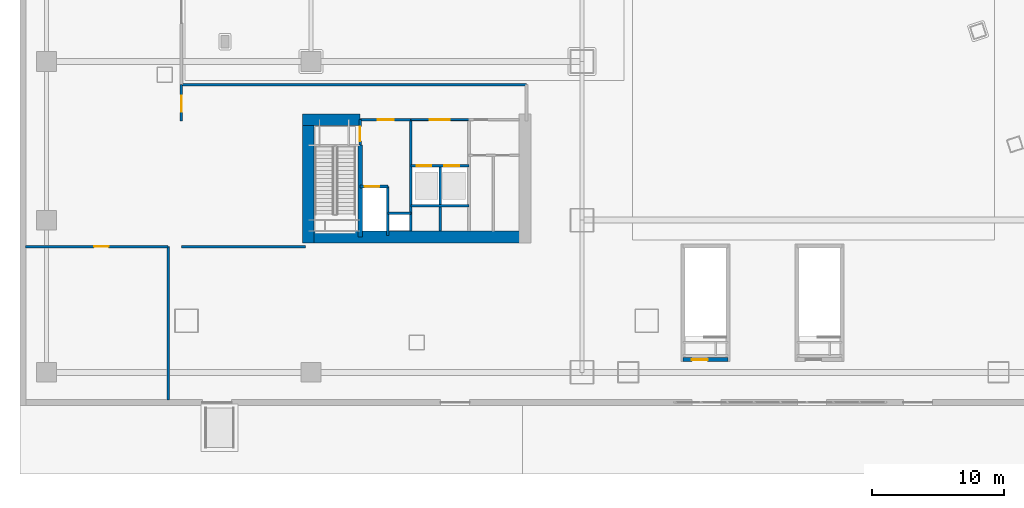
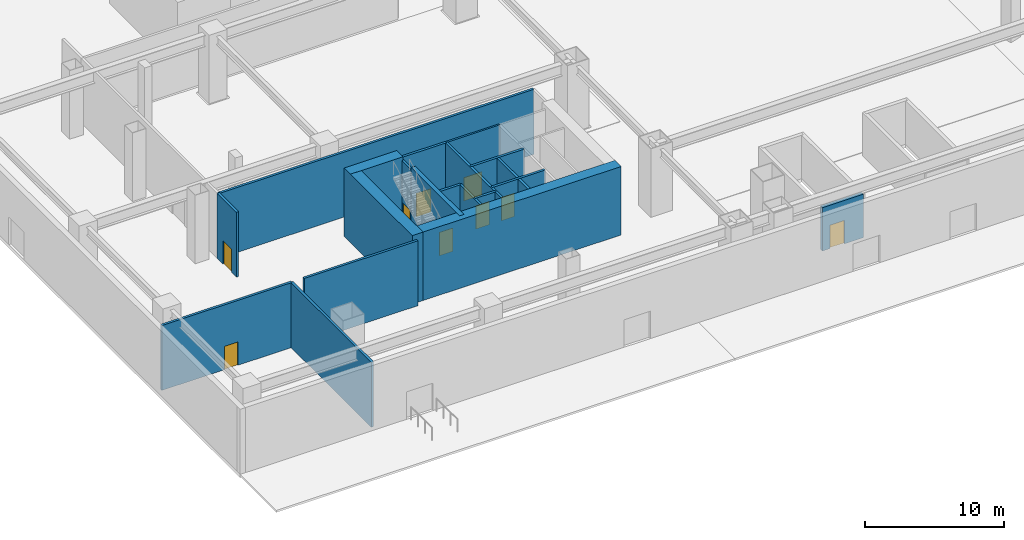
# One storey, part 12 of 31: 20 walls, 9 doors, 9 openings.
"""IFC4 building model written with IfcOpenShell, lengths in metres."""

from ifc_helpers import new_model, si_unit, direction, frame, frame_2d, origin, place, context, subcontext, project, spatial, rectangle, extrude, material, layer, layer_set, type_object, element, fill, save


model = new_model("IFC4")

# Units and contexts
model_context = context("Model", 3, precision=1e-05, world=origin(), true_north=direction((0.0, 1.0)))
body_context = subcontext(model_context, "Body", "Model", "MODEL_VIEW")
ifc_project = project(units=[si_unit("LENGTHUNIT", "METRE"), si_unit("AREAUNIT", "SQUARE_METRE"), si_unit("VOLUMEUNIT", "CUBIC_METRE"), si_unit("PLANEANGLEUNIT", "RADIAN"), si_unit("MASSUNIT", "GRAM", prefix="KILO")], contexts=[model_context])

# Site, building, storey
site_placement = place(None, origin())
site = spatial("IfcSite", under=ifc_project, at=site_placement, CompositionType="ELEMENT")
building_placement = place(site_placement, origin())
building = spatial("IfcBuilding", under=site, at=building_placement, Name="Qiaolan Cultural Towers", CompositionType="ELEMENT")
storey_placement = place(building_placement, origin())
storey = spatial("IfcBuildingStorey", under=building, at=storey_placement, Name="L00", CompositionType="ELEMENT", Elevation=0.0)

# Wall
ifc_material_1 = material(Name="Concrete C50", Category="concrete")
ifc_layer_1 = layer(ifc_material_1, 0.35009765625)
ifc_layer_set_1 = layer_set([ifc_layer_1], Name="Concrete C50")
wall_type_1 = type_object("IfcWallType", Name="WL-CORE-350", PredefinedType="SHEAR", material=ifc_layer_set_1)
wall_1_placement = place(storey_placement, frame((25.719970703125, 19.699951171875, 0.0), z_axis=(0.0, 0.0, 1.0), x_axis=(0.0, -1.0, 0.0)))
element("IfcWall", 1, at=wall_1_placement, inside=storey, type_object=wall_type_1, Name="L00 T1-CS Stair Core Dividing Web", PredefinedType="SHEAR", context=body_context, shape_type="SweptSolid", body=[
    extrude(rectangle(XDim=6.97998046875, YDim=0.35009765625, at=frame_2d((3.489990234375, 0.0))), origin(), (0.0, 0.0, 1.0), 6.0),
])

# Wall, opening, door
wall_2_placement = place(storey_placement, frame((50.14990234375, 3.449951171875, 0.0), z_axis=(0.0, 0.0, 1.0), x_axis=(1.0, 0.0, 0.0)))
wall_2 = element("IfcWall", 2, at=wall_2_placement, inside=storey, type_object=wall_type_1, Name="L00 STM1 Stair Shaft Wall S", PredefinedType="SHEAR", context=body_context, shape_type="SweptSolid", body=[
    extrude(rectangle(XDim=3.400146484375, YDim=0.300048828125, at=frame_2d((1.7001953125, 0.0))), origin(), (0.0, 0.0, 1.0), 3.800048828125),
])
opening_1_placement = place(wall_2_placement, frame((0.64990234375, 0.0, 0.0)))
opening_1 = element("IfcOpeningElement", 3, at=opening_1_placement, cuts=wall_2, Name="Opening FD-03", PredefinedType="OPENING", context=body_context, shape_type="SweptSolid", body=[
    extrude(rectangle(XDim=1.199951171875, YDim=2.050048828125, at=frame_2d((0.60009765625, 1.02490234375))), frame((0.0, 0.159912109375, 0.0), z_axis=(0.0, -1.0, 0.0), x_axis=(1.0, 0.0, 0.0)), (0.0, 0.0, 1.0), 0.320068359375),
])
ifc_material_2 = material(Name="Galvanized Steel Smokeproof Lobby Fire Door", Category="steel")
door_type_1 = type_object("IfcDoorType", Name="DR-FD90-1200", OperationType="NOTDEFINED", PredefinedType="DOOR", material=ifc_material_2)
door_1_placement = place(opening_1_placement, origin())
door_1 = element("IfcDoor", 4, at=door_1_placement, inside=storey, type_object=door_type_1, Name="L00 Exit Stair ST-M1 Fire Door", OperationType="SINGLE_SWING_LEFT", OverallHeight=2.050048828125, OverallWidth=1.199951171875, PredefinedType="DOOR", context=body_context, shape_type="SweptSolid", body=[
    extrude(rectangle(XDim=1.199951171875, YDim=2.050048828125, at=frame_2d((0.60009765625, 1.02490234375))), frame((0.0, 0.02490234375, 0.0), z_axis=(0.0, -1.0, 0.0), x_axis=(1.0, 0.0, 0.0)), (0.0, 0.0, 1.0), 0.050048828125),
])
fill(opening_1, door_1)

# Walls
ifc_material_3 = material(Name="Concrete C60", Category="concrete")
ifc_layer_2 = layer(ifc_material_3, 0.89990234375)
ifc_layer_set_2 = layer_set([ifc_layer_2], Name="Concrete C60")
wall_type_2 = type_object("IfcWallType", Name="WL-CORE-900", PredefinedType="SHEAR", material=ifc_layer_set_2)
wall_3_placement = place(storey_placement, frame((21.35009765625, 12.719970703125, 0.0), z_axis=(0.0, 0.0, 1.0), x_axis=(1.0, 0.0, 0.0)))
element("IfcWall", 5, at=wall_3_placement, inside=storey, type_object=wall_type_2, Name="L00 T1-CS Outer Core Shear Wall", PredefinedType="SHEAR", context=body_context, shape_type="SweptSolid", body=[
    extrude(rectangle(XDim=17.2998046875, YDim=0.89990234375, at=frame_2d((8.64990234375, 0.0))), origin(), (0.0, 0.0, 1.0), 6.0),
])
wall_4_placement = place(storey_placement, frame((21.800048828125, 22.050048828125, 0.0), z_axis=(0.0, 0.0, 1.0), x_axis=(0.0, -1.0, 0.0)))
element("IfcWall", 6, at=wall_4_placement, inside=storey, type_object=wall_type_2, Name="L00 T1-CS West Core Shear Wall", PredefinedType="SHEAR", context=body_context, shape_type="SweptSolid", body=[
    extrude(rectangle(XDim=9.780029296875, YDim=0.89990234375, at=frame_2d((4.89013671875, 0.0))), origin(), (0.0, 0.0, 1.0), 6.0),
])
wall_5_placement = place(storey_placement, frame((21.35009765625, 21.60009765625, 0.0), z_axis=(0.0, 0.0, 1.0), x_axis=(1.0, 0.0, 0.0)))
element("IfcWall", 7, at=wall_5_placement, inside=storey, type_object=wall_type_2, Name="L00 T1-CS Stair Front Shear Wall", PredefinedType="SHEAR", context=body_context, shape_type="SweptSolid", body=[
    extrude(rectangle(XDim=4.369873046875, YDim=0.89990234375, at=frame_2d((2.18505859375, 0.0))), origin(), (0.0, 0.0, 1.0), 6.0),
])

# Wall, opening, door
ifc_material_4 = material(Name="Concrete C35 Fire Wall", Category="concrete")
ifc_layer_3 = layer(ifc_material_4, 0.199951171875)
ifc_layer_set_3 = layer_set([ifc_layer_3], Name="Concrete C35 Fire Wall")
wall_type_3 = type_object("IfcWallType", Name="WL-FIRE-200", PredefinedType="PARTITIONING", material=ifc_layer_set_3)
wall_6_placement = place(storey_placement, frame((25.719970703125, 21.60009765625, 0.0), z_axis=(0.0, 0.0, 1.0), x_axis=(0.0, -1.0, 0.0)))
wall_6 = element("IfcWall", 8, at=wall_6_placement, inside=storey, type_object=wall_type_3, Name="L00 T1-CS Smokeproof Stair Entry Wall", PredefinedType="PARTITIONING", context=body_context, shape_type="SweptSolid", body=[
    extrude(rectangle(XDim=1.900146484375, YDim=0.199951171875, at=frame_2d((0.9501953125, 0.0))), origin(), (0.0, 0.0, 1.0), 5.68505859375),
])
opening_2_placement = place(wall_6_placement, frame((0.52001953125, 0.0, 0.0)))
opening_2 = element("IfcOpeningElement", 9, at=opening_2_placement, cuts=wall_6, Name="Opening FD-04", PredefinedType="OPENING", context=body_context, shape_type="SweptSolid", body=[
    extrude(rectangle(XDim=1.10009765625, YDim=2.050048828125, at=frame_2d((0.550048828125, 1.02490234375))), frame((0.0, 0.10986328125, 0.0), z_axis=(0.0, -1.0, 0.0), x_axis=(1.0, 0.0, 0.0)), (0.0, 0.0, 1.0), 0.219970703125),
])
ifc_material_5 = material(Name="Galvanized Steel Command Fire Door", Category="steel")
door_type_2 = type_object("IfcDoorType", Name="DR-FD90-1100", OperationType="NOTDEFINED", PredefinedType="DOOR", material=ifc_material_5)
door_2_placement = place(opening_2_placement, origin())
door_2 = element("IfcDoor", 10, at=door_2_placement, inside=storey, type_object=door_type_2, Name="L00 ST-W1 Smokeproof Stair Fire Door", OperationType="SINGLE_SWING_LEFT", OverallHeight=2.050048828125, OverallWidth=1.10009765625, PredefinedType="DOOR", context=body_context, shape_type="SweptSolid", body=[
    extrude(rectangle(XDim=1.10009765625, YDim=2.050048828125, at=frame_2d((0.550048828125, 1.02490234375))), frame((0.0, 0.02490234375, 0.0), z_axis=(0.0, -1.0, 0.0), x_axis=(1.0, 0.0, 0.0)), (0.0, 0.0, 1.0), 0.050048828125),
])
fill(opening_2, door_2)

# Wall
wall_7_placement = place(storey_placement, frame((29.550048828125, 21.60009765625, 0.0), z_axis=(0.0, 0.0, 1.0), x_axis=(0.0, -1.0, 0.0)))
element("IfcWall", 11, at=wall_7_placement, inside=storey, type_object=wall_type_3, Name="L00 T1-CS Firefighting Zone Wall", PredefinedType="PARTITIONING", context=body_context, shape_type="SweptSolid", body=[
    extrude(rectangle(XDim=8.43017578125, YDim=0.199951171875, at=frame_2d((4.215087890625, 0.0))), origin(), (0.0, 0.0, 1.0), 5.68505859375),
])

# Wall, opening, door
wall_8_placement = place(storey_placement, frame((25.719970703125, 21.60009765625, 0.0), z_axis=(0.0, 0.0, 1.0), x_axis=(1.0, 0.0, 0.0)))
wall_8 = element("IfcWall", 12, at=wall_8_placement, inside=storey, type_object=wall_type_3, Name="L00 T1-CS Firefighting Lobby Front Wall", PredefinedType="PARTITIONING", context=body_context, shape_type="SweptSolid", body=[
    extrude(rectangle(XDim=3.830078125, YDim=0.199951171875, at=frame_2d((1.9150390625, 0.0))), origin(), (0.0, 0.0, 1.0), 5.68505859375),
])
opening_3_placement = place(wall_8_placement, frame((1.35009765625, 0.0, 0.0)))
opening_3 = element("IfcOpeningElement", 13, at=opening_3_placement, cuts=wall_8, Name="Opening FD-03", PredefinedType="OPENING", context=body_context, shape_type="SweptSolid", body=[
    extrude(rectangle(XDim=1.199951171875, YDim=2.050048828125, at=frame_2d((0.60009765625, 1.02490234375))), frame((0.0, 0.10986328125, 0.0), z_axis=(0.0, -1.0, 0.0), x_axis=(1.0, 0.0, 0.0)), (0.0, 0.0, 1.0), 0.219970703125),
])
door_3_placement = place(opening_3_placement, origin())
door_3 = element("IfcDoor", 14, at=door_3_placement, inside=storey, type_object=door_type_1, Name="L00 FFL-W1 Firefighting Lobby Fire Door", OperationType="SINGLE_SWING_LEFT", OverallHeight=2.050048828125, OverallWidth=1.199951171875, PredefinedType="DOOR", context=body_context, shape_type="SweptSolid", body=[
    extrude(rectangle(XDim=1.199951171875, YDim=2.050048828125, at=frame_2d((0.60009765625, 1.02490234375))), frame((0.0, 0.02490234375, 0.0), z_axis=(0.0, -1.0, 0.0), x_axis=(1.0, 0.0, 0.0)), (0.0, 0.0, 1.0), 0.050048828125),
])
fill(opening_3, door_3)

wall_9_placement = place(storey_placement, frame((25.719970703125, 16.550048828125, 0.0), z_axis=(0.0, 0.0, 1.0), x_axis=(1.0, 0.0, 0.0)))
wall_9 = element("IfcWall", 15, at=wall_9_placement, inside=storey, type_object=wall_type_3, Name="L00 T1-CS Firefighting Shaft Front Wall", PredefinedType="PARTITIONING", context=body_context, shape_type="SweptSolid", body=[
    extrude(rectangle(XDim=2.10009765625, YDim=0.199951171875, at=frame_2d((1.050048828125, 0.0))), origin(), (0.0, 0.0, 1.0), 5.68505859375),
])
opening_4_placement = place(wall_9_placement, frame((0.35009765625, 0.0, 0.0)))
opening_4 = element("IfcOpeningElement", 16, at=opening_4_placement, cuts=wall_9, Name="Opening LD-01", PredefinedType="OPENING", context=body_context, shape_type="SweptSolid", body=[
    extrude(rectangle(XDim=1.10009765625, YDim=2.050048828125, at=frame_2d((0.550048828125, 1.02490234375))), frame((0.0, 0.10986328125, 0.0), z_axis=(0.0, -1.0, 0.0), x_axis=(1.0, 0.0, 0.0)), (0.0, 0.0, 1.0), 0.219970703125),
])
ifc_material_6 = material(Name="Brushed Stainless Steel S30408 Centre-Parting Lift Landing Door", Category="steel")
door_type_3 = type_object("IfcDoorType", Name="DR-LIFT-1100", OperationType="NOTDEFINED", PredefinedType="DOOR", material=ifc_material_6)
door_4_placement = place(opening_4_placement, origin())
door_4 = element("IfcDoor", 17, at=door_4_placement, inside=storey, type_object=door_type_3, Name="L00 FFL-W1 Firefighting Lift Landing Door", OperationType="DOUBLE_DOOR_SLIDING", OverallHeight=2.050048828125, OverallWidth=1.10009765625, PredefinedType="DOOR", context=body_context, shape_type="SweptSolid", body=[
    extrude(rectangle(XDim=1.10009765625, YDim=2.050048828125, at=frame_2d((0.550048828125, 1.02490234375))), frame((0.0, 0.02490234375, 0.0), z_axis=(0.0, -1.0, 0.0), x_axis=(1.0, 0.0, 0.0)), (0.0, 0.0, 1.0), 0.050048828125),
])
fill(opening_4, door_4)

# Walls
wall_10_placement = place(storey_placement, frame((27.820068359375, 16.550048828125, 0.0), z_axis=(0.0, 0.0, 1.0), x_axis=(0.0, -1.0, 0.0)))
element("IfcWall", 18, at=wall_10_placement, inside=storey, type_object=wall_type_3, Name="L00 T1-CS Firefighting Hoistway East Wall", PredefinedType="PARTITIONING", context=body_context, shape_type="SweptSolid", body=[
    extrude(rectangle(XDim=3.699951171875, YDim=0.199951171875, at=frame_2d((1.85009765625, 0.0))), origin(), (0.0, 0.0, 1.0), 5.68505859375),
])
wall_11_placement = place(storey_placement, frame((27.820068359375, 14.52001953125, 0.0), z_axis=(0.0, 0.0, 1.0), x_axis=(1.0, 0.0, 0.0)))
element("IfcWall", 19, at=wall_11_placement, inside=storey, type_object=wall_type_3, Name="L00 T1-CS Pressurization Shaft Front Wall", PredefinedType="PARTITIONING", context=body_context, shape_type="SweptSolid", body=[
    extrude(rectangle(XDim=1.72998046875, YDim=0.199951171875, at=frame_2d((0.864990234375, 0.0))), origin(), (0.0, 0.0, 1.0), 5.68505859375),
])

# Wall, openings, doors
wall_12_placement = place(storey_placement, frame((29.550048828125, 18.1201171875, 0.0), z_axis=(0.0, 0.0, 1.0), x_axis=(1.0, 0.0, 0.0)))
wall_12 = element("IfcWall", 20, at=wall_12_placement, inside=storey, type_object=wall_type_3, Name="L00 T1-CS Passenger Lift Shaft Front Wall", PredefinedType="PARTITIONING", context=body_context, shape_type="SweptSolid", body=[
    extrude(rectangle(XDim=4.39990234375, YDim=0.199951171875, at=frame_2d((2.199951171875, 0.0))), origin(), (0.0, 0.0, 1.0), 5.68505859375),
])
opening_5_placement = place(wall_12_placement, frame((0.449951171875, 0.0, 0.0)))
opening_5 = element("IfcOpeningElement", 21, at=opening_5_placement, cuts=wall_12, Name="Opening LD-01", PredefinedType="OPENING", context=body_context, shape_type="SweptSolid", body=[
    extrude(rectangle(XDim=1.10009765625, YDim=2.050048828125, at=frame_2d((0.550048828125, 1.02490234375))), frame((0.0, 0.10986328125, 0.0), z_axis=(0.0, -1.0, 0.0), x_axis=(1.0, 0.0, 0.0)), (0.0, 0.0, 1.0), 0.219970703125),
])
opening_6_placement = place(wall_12_placement, frame((2.550048828125, 0.0, 0.0)))
opening_6 = element("IfcOpeningElement", 22, at=opening_6_placement, cuts=wall_12, Name="Opening LD-01", PredefinedType="OPENING", context=body_context, shape_type="SweptSolid", body=[
    extrude(rectangle(XDim=1.10009765625, YDim=2.050048828125, at=frame_2d((0.550048828125, 1.02490234375))), frame((0.0, 0.10986328125, 0.0), z_axis=(0.0, -1.0, 0.0), x_axis=(1.0, 0.0, 0.0)), (0.0, 0.0, 1.0), 0.219970703125),
])
door_5_placement = place(opening_5_placement, origin())
door_5 = element("IfcDoor", 23, at=door_5_placement, inside=storey, type_object=door_type_3, Name="L00 Passenger Lift 1 Landing Door", OperationType="DOUBLE_DOOR_SLIDING", OverallHeight=2.050048828125, OverallWidth=1.10009765625, PredefinedType="DOOR", context=body_context, shape_type="SweptSolid", body=[
    extrude(rectangle(XDim=1.10009765625, YDim=2.050048828125, at=frame_2d((0.550048828125, 1.02490234375))), frame((0.0, 0.02490234375, 0.0), z_axis=(0.0, -1.0, 0.0), x_axis=(1.0, 0.0, 0.0)), (0.0, 0.0, 1.0), 0.050048828125),
])
fill(opening_5, door_5)
door_6_placement = place(opening_6_placement, origin())
door_6 = element("IfcDoor", 24, at=door_6_placement, inside=storey, type_object=door_type_3, Name="L00 Passenger Lift 2 Landing Door", OperationType="DOUBLE_DOOR_SLIDING", OverallHeight=2.050048828125, OverallWidth=1.10009765625, PredefinedType="DOOR", context=body_context, shape_type="SweptSolid", body=[
    extrude(rectangle(XDim=1.10009765625, YDim=2.050048828125, at=frame_2d((0.550048828125, 1.02490234375))), frame((0.0, 0.02490234375, 0.0), z_axis=(0.0, -1.0, 0.0), x_axis=(1.0, 0.0, 0.0)), (0.0, 0.0, 1.0), 0.050048828125),
])
fill(opening_6, door_6)

# Walls
wall_13_placement = place(storey_placement, frame((31.780029296875, 18.1201171875, 0.0), z_axis=(0.0, 0.0, 1.0), x_axis=(0.0, -1.0, 0.0)))
element("IfcWall", 25, at=wall_13_placement, inside=storey, type_object=wall_type_3, Name="L00 T1-CS Lift Shaft Divider Wall", PredefinedType="PARTITIONING", context=body_context, shape_type="SweptSolid", body=[
    extrude(rectangle(XDim=4.9501953125, YDim=0.199951171875, at=frame_2d((2.47509765625, 0.0))), origin(), (0.0, 0.0, 1.0), 5.68505859375),
])
wall_14_placement = place(storey_placement, frame((29.550048828125, 15.10009765625, 0.0), z_axis=(0.0, 0.0, 1.0), x_axis=(1.0, 0.0, 0.0)))
element("IfcWall", 26, at=wall_14_placement, inside=storey, type_object=wall_type_3, Name="L00 T1-CS Passenger Lift Shaft Back Wall", PredefinedType="PARTITIONING", context=body_context, shape_type="SweptSolid", body=[
    extrude(rectangle(XDim=4.39990234375, YDim=0.199951171875, at=frame_2d((2.199951171875, 0.0))), origin(), (0.0, 0.0, 1.0), 5.68505859375),
])

# Wall, opening, door
wall_15_placement = place(storey_placement, frame((0.39990234375, 12.0, 0.0), z_axis=(0.0, 0.0, 1.0), x_axis=(1.0, 0.0, 0.0)))
wall_15 = element("IfcWall", 27, at=wall_15_placement, inside=storey, type_object=wall_type_3, Name="L00 Podium Partition L00-FCR-N", PredefinedType="PARTITIONING", context=body_context, shape_type="SweptSolid", body=[
    extrude(rectangle(XDim=10.800048828125, YDim=0.199951171875, at=frame_2d((5.39990234375, 0.0))), origin(), (0.0, 0.0, 1.0), 5.68505859375),
])
opening_7_placement = place(wall_15_placement, frame((5.199951171875, 0.0, 0.0)))
opening_7 = element("IfcOpeningElement", 28, at=opening_7_placement, cuts=wall_15, Name="Opening FD-04", PredefinedType="OPENING", context=body_context, shape_type="SweptSolid", body=[
    extrude(rectangle(XDim=1.10009765625, YDim=2.050048828125, at=frame_2d((0.550048828125, 1.02490234375))), frame((0.0, 0.10986328125, 0.0), z_axis=(0.0, -1.0, 0.0), x_axis=(1.0, 0.0, 0.0)), (0.0, 0.0, 1.0), 0.219970703125),
])
door_7_placement = place(opening_7_placement, origin())
door_7 = element("IfcDoor", 29, at=door_7_placement, inside=storey, type_object=door_type_2, Name="Fire Control Room Interior Door", OperationType="SINGLE_SWING_LEFT", OverallHeight=2.050048828125, OverallWidth=1.10009765625, PredefinedType="DOOR", context=body_context, shape_type="SweptSolid", body=[
    extrude(rectangle(XDim=1.10009765625, YDim=2.050048828125, at=frame_2d((0.550048828125, 1.02490234375))), frame((0.0, 0.02490234375, 0.0), z_axis=(0.0, -1.0, 0.0), x_axis=(1.0, 0.0, 0.0)), (0.0, 0.0, 1.0), 0.050048828125),
])
fill(opening_7, door_7)

# Walls
wall_16_placement = place(storey_placement, frame((11.199951171875, 0.39990234375, 0.0), z_axis=(0.0, 0.0, 1.0), x_axis=(0.0, 1.0, 0.0)))
element("IfcWall", 30, at=wall_16_placement, inside=storey, type_object=wall_type_3, Name="L00 Podium Partition L00-FCR-E", PredefinedType="PARTITIONING", context=body_context, shape_type="SweptSolid", body=[
    extrude(rectangle(XDim=11.60009765625, YDim=0.199951171875, at=frame_2d((5.800048828125, 0.0))), origin(), (0.0, 0.0, 1.0), 5.68505859375),
])
wall_17_placement = place(storey_placement, frame((12.199951171875, 12.0, 0.0), z_axis=(0.0, 0.0, 1.0), x_axis=(1.0, 0.0, 0.0)))
element("IfcWall", 31, at=wall_17_placement, inside=storey, type_object=wall_type_3, Name="L00 Podium Partition L00-SW-EXN", PredefinedType="PARTITIONING", context=body_context, shape_type="SweptSolid", body=[
    extrude(rectangle(XDim=9.400146484375, YDim=0.199951171875, at=frame_2d((4.7001953125, 0.0))), origin(), (0.0, 0.0, 1.0), 5.68505859375),
])

# Wall, opening, door
wall_18_placement = place(storey_placement, frame((12.199951171875, 21.5, 0.0), z_axis=(0.0, 0.0, 1.0), x_axis=(0.0, 1.0, 0.0)))
wall_18 = element("IfcWall", 32, at=wall_18_placement, inside=storey, type_object=wall_type_3, Name="L00 Podium Partition L00-W1-PASW", PredefinedType="PARTITIONING", context=body_context, shape_type="SweptSolid", body=[
    extrude(rectangle(XDim=2.75, YDim=0.199951171875, at=frame_2d((1.375, 0.0))), origin(), (0.0, 0.0, 1.0), 5.68505859375),
])
opening_8_placement = place(wall_18_placement, frame((0.719970703125, 0.0, 0.0)))
opening_8 = element("IfcOpeningElement", 33, at=opening_8_placement, cuts=wall_18, Name="Opening FD-03", PredefinedType="OPENING", context=body_context, shape_type="SweptSolid", body=[
    extrude(rectangle(XDim=1.199951171875, YDim=2.050048828125, at=frame_2d((0.60009765625, 1.02490234375))), frame((0.0, 0.10986328125, 0.0), z_axis=(0.0, -1.0, 0.0), x_axis=(1.0, 0.0, 0.0)), (0.0, 0.0, 1.0), 0.219970703125),
])
door_8_placement = place(opening_8_placement, origin())
door_8 = element("IfcDoor", 34, at=door_8_placement, inside=storey, type_object=door_type_1, Name="ST-W1 Protected Exit Passageway Fire Door", OperationType="SINGLE_SWING_LEFT", OverallHeight=2.050048828125, OverallWidth=1.199951171875, PredefinedType="DOOR", context=body_context, shape_type="SweptSolid", body=[
    extrude(rectangle(XDim=1.199951171875, YDim=2.050048828125, at=frame_2d((0.60009765625, 1.02490234375))), frame((0.0, 0.02490234375, 0.0), z_axis=(0.0, -1.0, 0.0), x_axis=(1.0, 0.0, 0.0)), (0.0, 0.0, 1.0), 0.050048828125),
])
fill(opening_8, door_8)

# Wall
wall_19_placement = place(storey_placement, frame((12.199951171875, 24.25, 0.0), z_axis=(0.0, 0.0, 1.0), x_axis=(1.0, 0.0, 0.0)))
element("IfcWall", 35, at=wall_19_placement, inside=storey, type_object=wall_type_3, Name="L00 Podium Partition L00-W1-PASN", PredefinedType="PARTITIONING", context=body_context, shape_type="SweptSolid", body=[
    extrude(rectangle(XDim=26.10009765625, YDim=0.199951171875, at=frame_2d((13.050048828125, 0.0))), origin(), (0.0, 0.0, 1.0), 5.68505859375),
])

# Wall, opening, door
ifc_material_7 = material(Name="Autoclaved Aerated Concrete Block B06", Category="concrete")
ifc_layer_4 = layer(ifc_material_7, 0.14990234375)
ifc_layer_set_4 = layer_set([ifc_layer_4], Name="Autoclaved Aerated Concrete Block B06")
wall_type_4 = type_object("IfcWallType", Name="WL-PART-150", PredefinedType="PARTITIONING", material=ifc_layer_set_4)
wall_20_placement = place(storey_placement, frame((29.550048828125, 21.60009765625, 0.0), z_axis=(0.0, 0.0, 1.0), x_axis=(1.0, 0.0, 0.0)))
wall_20 = element("IfcWall", 36, at=wall_20_placement, inside=storey, type_object=wall_type_4, Name="L00 T1-CS Passenger Lift Lobby Front Wall", PredefinedType="PARTITIONING", context=body_context, shape_type="SweptSolid", body=[
    extrude(rectangle(XDim=4.39990234375, YDim=0.14990234375, at=frame_2d((2.199951171875, 0.0))), origin(), (0.0, 0.0, 1.0), 5.68505859375),
])
opening_9_placement = place(wall_20_placement, frame((1.449951171875, 0.0, 0.0)))
opening_9 = element("IfcOpeningElement", 37, at=opening_9_placement, cuts=wall_20, Name="Opening FD-05", PredefinedType="OPENING", context=body_context, shape_type="SweptSolid", body=[
    extrude(rectangle(XDim=1.5, YDim=2.050048828125, at=frame_2d((0.75, 1.02490234375))), frame((0.0, 0.0849609375, 0.0), z_axis=(0.0, -1.0, 0.0), x_axis=(1.0, 0.0, 0.0)), (0.0, 0.0, 1.0), 0.169921875),
])
ifc_material_8 = material(Name="Painted Steel Lift Lobby Fire Door", Category="steel")
door_type_4 = type_object("IfcDoorType", Name="DR-FD60-1500", OperationType="NOTDEFINED", PredefinedType="DOOR", material=ifc_material_8)
door_9_placement = place(opening_9_placement, origin())
door_9 = element("IfcDoor", 38, at=door_9_placement, inside=storey, type_object=door_type_4, Name="L00 Passenger Lift Lobby Entrance", OperationType="SINGLE_SWING_LEFT", OverallHeight=2.050048828125, OverallWidth=1.5, PredefinedType="DOOR", context=body_context, shape_type="SweptSolid", body=[
    extrude(rectangle(XDim=1.5, YDim=2.050048828125, at=frame_2d((0.75, 1.02490234375))), frame((0.0, 0.02490234375, 0.0), z_axis=(0.0, -1.0, 0.0), x_axis=(1.0, 0.0, 0.0)), (0.0, 0.0, 1.0), 0.050048828125),
])
fill(opening_9, door_9)

save(model, "model.ifc")
